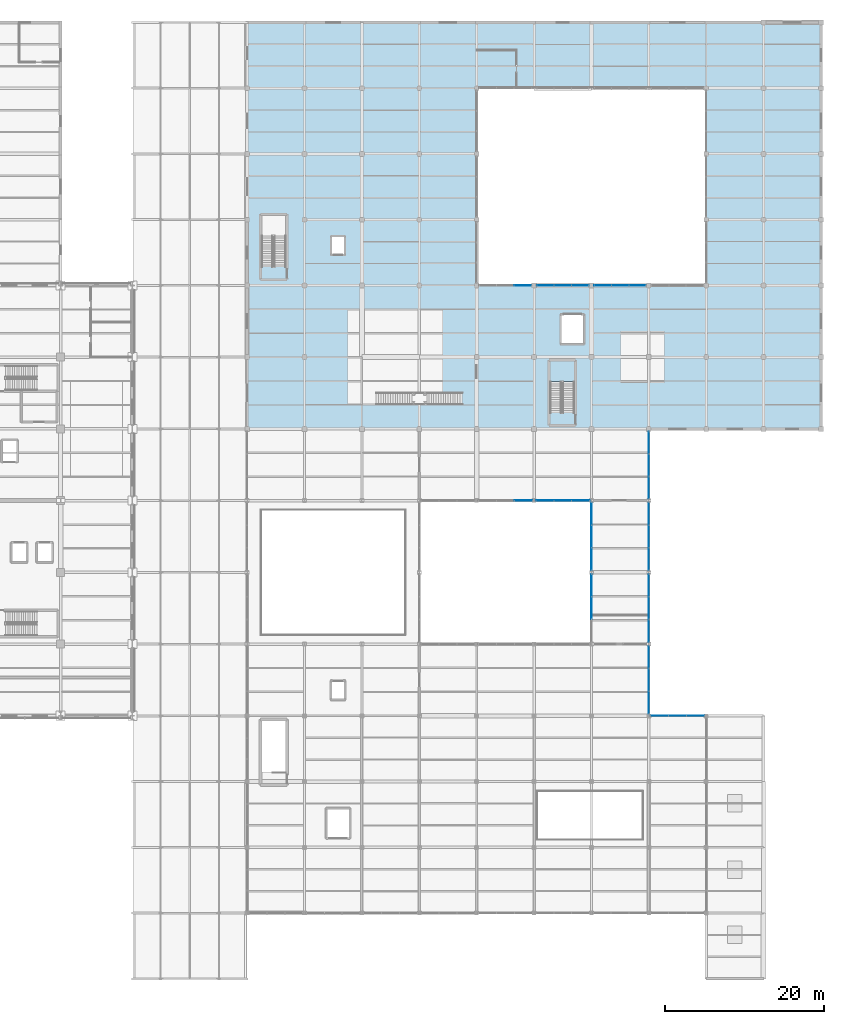
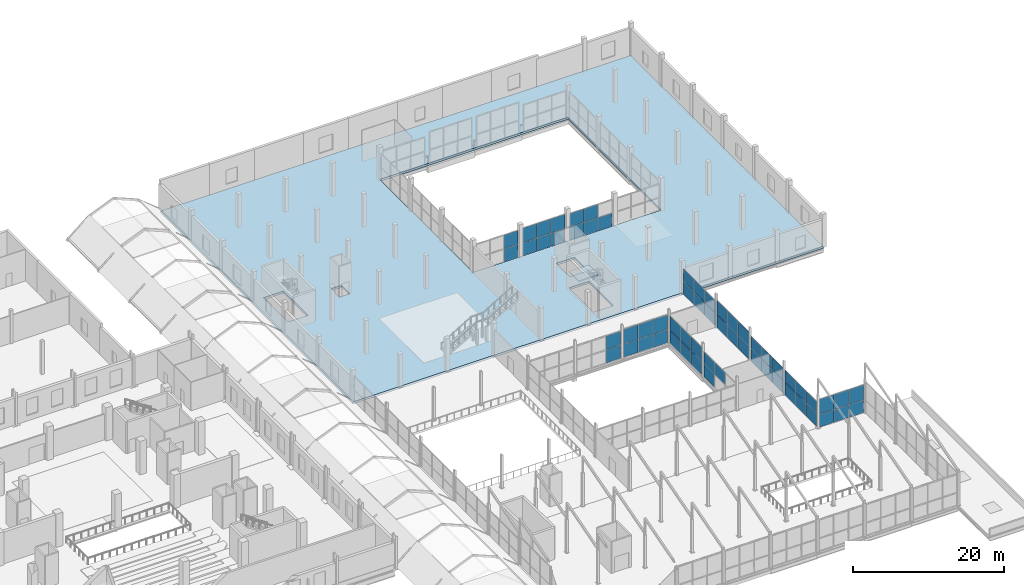
# One storey, part 104 of 141: 60 plates, 2 slabs, 13 elements without a shape of their own.
"""IFC4 building model written with IfcOpenShell, lengths in metres."""

from ifc_helpers import new_model, si_unit, direction, frame, origin, origin_2d, place, context, subcontext, project, spatial, polyline, rectangle, outline, extrude, material, layer, layer_set, type_object, element, aggregate, save


model = new_model("IFC4")

# Units and contexts
model_context = context("Model", 3, precision=1e-05, world=origin(), true_north=direction((0.0, 1.0)))
body_context = subcontext(model_context, "Body", "Model", "MODEL_VIEW")
ifc_project = project(units=[si_unit("LENGTHUNIT", "METRE"), si_unit("AREAUNIT", "SQUARE_METRE"), si_unit("VOLUMEUNIT", "CUBIC_METRE"), si_unit("PLANEANGLEUNIT", "RADIAN"), si_unit("MASSUNIT", "GRAM", prefix="KILO")], contexts=[model_context])

# Site, building, storey
site_placement = place(None, origin())
site = spatial("IfcSite", under=ifc_project, at=site_placement, CompositionType="ELEMENT")
building_placement = place(site_placement, origin())
building = spatial("IfcBuilding", under=site, at=building_placement, Name="Sundgate Opera House", CompositionType="ELEMENT")
storey_placement = place(building_placement, frame((0.0, 0.0, 11.39990234375)))
storey = spatial("IfcBuildingStorey", under=building, at=storey_placement, Name="L02", CompositionType="ELEMENT", Elevation=11.39990234375)

# Curtain wall, plates
ifc_material_1 = material(Name="Anodized aluminium and low-iron glass", Category="aluminium")
ifc_layer_1 = layer(ifc_material_1, 0.159912109375)
ifc_layer_set_1 = layer_set([ifc_layer_1], Name="Anodized aluminium and low-iron glass")
curtain_wall_type_1 = type_object("IfcCurtainWallType", Name="CW-STUDIO-DARK", PredefinedType="NOTDEFINED", material=ifc_layer_set_1)
curtain_wall_1_placement = place(storey_placement, origin())
curtain_wall_1 = element("IfcCurtainWall", 1, at=curtain_wall_1_placement, inside=storey, type_object=curtain_wall_type_1, Name="L02 Curtain Wall CW108", PredefinedType="NOTDEFINED")
ifc_material_2 = material(Name="Low-iron triple acoustic glazing", Category="glass")
ifc_layer_2 = layer(ifc_material_2, 0.035888671875)
ifc_layer_set_2 = layer_set([ifc_layer_2], Name="Low-iron triple acoustic glazing")
plate_type_1 = type_object("IfcPlateType", Name="CWP-CLEAR-36", PredefinedType="CURTAIN_PANEL", material=ifc_layer_set_2)
plate_1_placement = place(storey_placement, frame((129.966552734375, 87.0, 0.02001953125), z_axis=(0.0, 0.0, 1.0), x_axis=(1.0, 0.0, 0.0)))
plate_1 = element("IfcPlate", 2, at=plate_1_placement, type_object=plate_type_1, Name="CW108 Panel 5", PredefinedType="CURTAIN_PANEL", context=body_context, shape_type="SweptSolid", body=[
    extrude(rectangle(XDim=2.126708984375, YDim=0.035888671875, at=origin_2d()), origin(), (0.0, 0.0, 1.0), 2.110107421875),
])
plate_2_placement = place(storey_placement, frame((129.966552734375, 87.0, 2.169921875), z_axis=(0.0, 0.0, 1.0), x_axis=(1.0, 0.0, 0.0)))
plate_2 = element("IfcPlate", 3, at=plate_2_placement, type_object=plate_type_1, Name="CW108 Panel 6", PredefinedType="CURTAIN_PANEL", context=body_context, shape_type="SweptSolid", body=[
    extrude(rectangle(XDim=2.126708984375, YDim=0.035888671875, at=origin_2d()), origin(), (0.0, 0.0, 1.0), 2.195068359375),
])
aggregate(curtain_wall_1, [plate_1, plate_2])

curtain_wall_2_placement = place(storey_placement, origin())
curtain_wall_2 = element("IfcCurtainWall", 4, at=curtain_wall_2_placement, inside=storey, type_object=curtain_wall_type_1, Name="L02 Curtain Wall CW110", PredefinedType="NOTDEFINED")
plate_3_placement = place(storey_placement, frame((132.833251953125, 87.0, 0.02001953125), z_axis=(0.0, 0.0, 1.0), x_axis=(1.0, 0.0, 0.0)))
plate_3 = element("IfcPlate", 5, at=plate_3_placement, type_object=plate_type_1, Name="CW110 Panel 1", PredefinedType="CURTAIN_PANEL", context=body_context, shape_type="SweptSolid", body=[
    extrude(rectangle(XDim=2.126708984375, YDim=0.035888671875, at=origin_2d()), origin(), (0.0, 0.0, 1.0), 2.110107421875),
])
plate_4_placement = place(storey_placement, frame((132.833251953125, 87.0, 2.169921875), z_axis=(0.0, 0.0, 1.0), x_axis=(1.0, 0.0, 0.0)))
plate_4 = element("IfcPlate", 6, at=plate_4_placement, type_object=plate_type_1, Name="CW110 Panel 2", PredefinedType="CURTAIN_PANEL", context=body_context, shape_type="SweptSolid", body=[
    extrude(rectangle(XDim=2.126708984375, YDim=0.035888671875, at=origin_2d()), origin(), (0.0, 0.0, 1.0), 2.304931640625),
])
plate_5_placement = place(storey_placement, frame((135.0, 87.0, 0.02001953125), z_axis=(0.0, 0.0, 1.0), x_axis=(1.0, 0.0, 0.0)))
plate_5 = element("IfcPlate", 7, at=plate_5_placement, type_object=plate_type_1, Name="CW110 Panel 3", PredefinedType="CURTAIN_PANEL", context=body_context, shape_type="SweptSolid", body=[
    extrude(rectangle(XDim=2.126708984375, YDim=0.035888671875, at=origin_2d()), origin(), (0.0, 0.0, 1.0), 2.110107421875),
])
plate_6_placement = place(storey_placement, frame((135.0, 87.0, 2.169921875), z_axis=(0.0, 0.0, 1.0), x_axis=(1.0, 0.0, 0.0)))
plate_6 = element("IfcPlate", 8, at=plate_6_placement, type_object=plate_type_1, Name="CW110 Panel 4", PredefinedType="CURTAIN_PANEL", context=body_context, shape_type="SweptSolid", body=[
    extrude(rectangle(XDim=2.126708984375, YDim=0.035888671875, at=origin_2d()), origin(), (0.0, 0.0, 1.0), 2.304931640625),
])
plate_7_placement = place(storey_placement, frame((137.166748046875, 87.0, 0.02001953125), z_axis=(0.0, 0.0, 1.0), x_axis=(1.0, 0.0, 0.0)))
plate_7 = element("IfcPlate", 9, at=plate_7_placement, type_object=plate_type_1, Name="CW110 Panel 5", PredefinedType="CURTAIN_PANEL", context=body_context, shape_type="SweptSolid", body=[
    extrude(rectangle(XDim=2.126708984375, YDim=0.035888671875, at=origin_2d()), origin(), (0.0, 0.0, 1.0), 2.110107421875),
])
plate_8_placement = place(storey_placement, frame((137.166748046875, 87.0, 2.169921875), z_axis=(0.0, 0.0, 1.0), x_axis=(1.0, 0.0, 0.0)))
plate_8 = element("IfcPlate", 10, at=plate_8_placement, type_object=plate_type_1, Name="CW110 Panel 6", PredefinedType="CURTAIN_PANEL", context=body_context, shape_type="SweptSolid", body=[
    extrude(rectangle(XDim=2.126708984375, YDim=0.035888671875, at=origin_2d()), origin(), (0.0, 0.0, 1.0), 2.304931640625),
])
aggregate(curtain_wall_2, [plate_3, plate_4, plate_5, plate_6, plate_7, plate_8])

curtain_wall_3_placement = place(storey_placement, origin())
curtain_wall_3 = element("IfcCurtainWall", 11, at=curtain_wall_3_placement, inside=storey, type_object=curtain_wall_type_1, Name="L02 Curtain Wall CW112", PredefinedType="NOTDEFINED")
plate_9_placement = place(storey_placement, frame((140.033447265625, 87.0, 0.02001953125), z_axis=(0.0, 0.0, 1.0), x_axis=(1.0, 0.0, 0.0)))
plate_9 = element("IfcPlate", 12, at=plate_9_placement, type_object=plate_type_1, Name="CW112 Panel 1", PredefinedType="CURTAIN_PANEL", context=body_context, shape_type="SweptSolid", body=[
    extrude(rectangle(XDim=2.126708984375, YDim=0.035888671875, at=origin_2d()), origin(), (0.0, 0.0, 1.0), 2.110107421875),
])
plate_10_placement = place(storey_placement, frame((140.033447265625, 87.0, 2.170166015625), z_axis=(0.0, 0.0, 1.0), x_axis=(1.0, 0.0, 0.0)))
plate_10 = element("IfcPlate", 13, at=plate_10_placement, type_object=plate_type_1, Name="CW112 Panel 2", PredefinedType="CURTAIN_PANEL", context=body_context, shape_type="SweptSolid", body=[
    extrude(rectangle(XDim=2.126708984375, YDim=0.035888671875, at=origin_2d()), origin(), (0.0, 0.0, 1.0), 2.14501953125),
])
plate_11_placement = place(storey_placement, frame((142.199951171875, 87.0, 0.02001953125), z_axis=(0.0, 0.0, 1.0), x_axis=(1.0, 0.0, 0.0)))
plate_11 = element("IfcPlate", 14, at=plate_11_placement, type_object=plate_type_1, Name="CW112 Panel 3", PredefinedType="CURTAIN_PANEL", context=body_context, shape_type="SweptSolid", body=[
    extrude(rectangle(XDim=2.126708984375, YDim=0.035888671875, at=origin_2d()), origin(), (0.0, 0.0, 1.0), 2.110107421875),
])
plate_12_placement = place(storey_placement, frame((142.199951171875, 87.0, 2.170166015625), z_axis=(0.0, 0.0, 1.0), x_axis=(1.0, 0.0, 0.0)))
plate_12 = element("IfcPlate", 15, at=plate_12_placement, type_object=plate_type_1, Name="CW112 Panel 4", PredefinedType="CURTAIN_PANEL", context=body_context, shape_type="SweptSolid", body=[
    extrude(rectangle(XDim=2.126708984375, YDim=0.035888671875, at=origin_2d()), origin(), (0.0, 0.0, 1.0), 2.14501953125),
])
plate_13_placement = place(storey_placement, frame((144.36669921875, 87.0, 0.02001953125), z_axis=(0.0, 0.0, 1.0), x_axis=(1.0, 0.0, 0.0)))
plate_13 = element("IfcPlate", 16, at=plate_13_placement, type_object=plate_type_1, Name="CW112 Panel 5", PredefinedType="CURTAIN_PANEL", context=body_context, shape_type="SweptSolid", body=[
    extrude(rectangle(XDim=2.126708984375, YDim=0.035888671875, at=origin_2d()), origin(), (0.0, 0.0, 1.0), 2.110107421875),
])
aggregate(curtain_wall_3, [plate_9, plate_10, plate_11, plate_12, plate_13])

curtain_wall_4_placement = place(storey_placement, origin())
curtain_wall_4 = element("IfcCurtainWall", 17, at=curtain_wall_4_placement, inside=storey, type_object=curtain_wall_type_1, Name="L02 Curtain Wall CW063", PredefinedType="NOTDEFINED")
ifc_material_3 = material(Name="Dark solar-control triple acoustic glazing", Category="glass")
ifc_layer_3 = layer(ifc_material_3, 0.031982421875)
ifc_layer_set_3 = layer_set([ifc_layer_3], Name="Dark solar-control triple acoustic glazing")
plate_type_2 = type_object("IfcPlateType", Name="CWP-DARK-32", PredefinedType="CURTAIN_PANEL", material=ifc_layer_set_3)
plate_14_placement = place(storey_placement, frame((145.800048828125, 34.64990234375, 0.02001953125), z_axis=(0.0, 0.0, 1.0), x_axis=(0.0, 1.0, 0.0)))
plate_14 = element("IfcPlate", 18, at=plate_14_placement, type_object=plate_type_2, Name="CW063 Panel 1", PredefinedType="CURTAIN_PANEL", context=body_context, shape_type="SweptSolid", body=[
    extrude(rectangle(XDim=2.81005859375, YDim=0.031982421875, at=origin_2d()), origin(), (0.0, 0.0, 1.0), 2.110107421875),
])
plate_15_placement = place(storey_placement, frame((145.800048828125, 34.64990234375, 2.170166015625), z_axis=(0.0, 0.0, 1.0), x_axis=(0.0, 1.0, 0.0)))
plate_15 = element("IfcPlate", 19, at=plate_15_placement, type_object=plate_type_2, Name="CW063 Panel 2", PredefinedType="CURTAIN_PANEL", context=body_context, shape_type="SweptSolid", body=[
    extrude(rectangle(XDim=2.81005859375, YDim=0.031982421875, at=origin_2d()), origin(), (0.0, 0.0, 1.0), 1.9150390625),
])
plate_16_placement = place(storey_placement, frame((145.800048828125, 37.5, 0.02001953125), z_axis=(0.0, 0.0, 1.0), x_axis=(0.0, 1.0, 0.0)))
plate_16 = element("IfcPlate", 20, at=plate_16_placement, type_object=plate_type_2, Name="CW063 Panel 3", PredefinedType="CURTAIN_PANEL", context=body_context, shape_type="SweptSolid", body=[
    extrude(rectangle(XDim=2.81005859375, YDim=0.031982421875, at=origin_2d()), origin(), (0.0, 0.0, 1.0), 2.110107421875),
])
plate_17_placement = place(storey_placement, frame((145.800048828125, 37.5, 2.170166015625), z_axis=(0.0, 0.0, 1.0), x_axis=(0.0, 1.0, 0.0)))
plate_17 = element("IfcPlate", 21, at=plate_17_placement, type_object=plate_type_2, Name="CW063 Panel 4", PredefinedType="CURTAIN_PANEL", context=body_context, shape_type="SweptSolid", body=[
    extrude(rectangle(XDim=2.81005859375, YDim=0.031982421875, at=origin_2d()), origin(), (0.0, 0.0, 1.0), 1.9150390625),
])
plate_18_placement = place(storey_placement, frame((145.800048828125, 40.35009765625, 0.02001953125), z_axis=(0.0, 0.0, 1.0), x_axis=(0.0, 1.0, 0.0)))
plate_18 = element("IfcPlate", 22, at=plate_18_placement, type_object=plate_type_2, Name="CW063 Panel 5", PredefinedType="CURTAIN_PANEL", context=body_context, shape_type="SweptSolid", body=[
    extrude(rectangle(XDim=2.81005859375, YDim=0.031982421875, at=origin_2d()), origin(), (0.0, 0.0, 1.0), 2.110107421875),
])
plate_19_placement = place(storey_placement, frame((145.800048828125, 40.35009765625, 2.170166015625), z_axis=(0.0, 0.0, 1.0), x_axis=(0.0, 1.0, 0.0)))
plate_19 = element("IfcPlate", 23, at=plate_19_placement, type_object=plate_type_2, Name="CW063 Panel 6", PredefinedType="CURTAIN_PANEL", context=body_context, shape_type="SweptSolid", body=[
    extrude(rectangle(XDim=2.81005859375, YDim=0.031982421875, at=origin_2d()), origin(), (0.0, 0.0, 1.0), 1.9150390625),
])
aggregate(curtain_wall_4, [plate_14, plate_15, plate_16, plate_17, plate_18, plate_19])

curtain_wall_5_placement = place(storey_placement, origin())
curtain_wall_5 = element("IfcCurtainWall", 24, at=curtain_wall_5_placement, inside=storey, type_object=curtain_wall_type_1, Name="L02 Curtain Wall CW065", PredefinedType="NOTDEFINED")
plate_20_placement = place(storey_placement, frame((145.800048828125, 43.64990234375, 0.02001953125), z_axis=(0.0, 0.0, 1.0), x_axis=(0.0, 1.0, 0.0)))
plate_20 = element("IfcPlate", 25, at=plate_20_placement, type_object=plate_type_2, Name="CW065 Panel 1", PredefinedType="CURTAIN_PANEL", context=body_context, shape_type="SweptSolid", body=[
    extrude(rectangle(XDim=2.81005859375, YDim=0.031982421875, at=origin_2d()), origin(), (0.0, 0.0, 1.0), 2.110107421875),
])
plate_21_placement = place(storey_placement, frame((145.800048828125, 43.64990234375, 2.170166015625), z_axis=(0.0, 0.0, 1.0), x_axis=(0.0, 1.0, 0.0)))
plate_21 = element("IfcPlate", 26, at=plate_21_placement, type_object=plate_type_2, Name="CW065 Panel 2", PredefinedType="CURTAIN_PANEL", context=body_context, shape_type="SweptSolid", body=[
    extrude(rectangle(XDim=2.81005859375, YDim=0.031982421875, at=origin_2d()), origin(), (0.0, 0.0, 1.0), 1.9150390625),
])
plate_22_placement = place(storey_placement, frame((145.800048828125, 46.5, 0.02001953125), z_axis=(0.0, 0.0, 1.0), x_axis=(0.0, 1.0, 0.0)))
plate_22 = element("IfcPlate", 27, at=plate_22_placement, type_object=plate_type_2, Name="CW065 Panel 3", PredefinedType="CURTAIN_PANEL", context=body_context, shape_type="SweptSolid", body=[
    extrude(rectangle(XDim=2.81005859375, YDim=0.031982421875, at=origin_2d()), origin(), (0.0, 0.0, 1.0), 2.110107421875),
])
plate_23_placement = place(storey_placement, frame((145.800048828125, 46.5, 2.170166015625), z_axis=(0.0, 0.0, 1.0), x_axis=(0.0, 1.0, 0.0)))
plate_23 = element("IfcPlate", 28, at=plate_23_placement, type_object=plate_type_2, Name="CW065 Panel 4", PredefinedType="CURTAIN_PANEL", context=body_context, shape_type="SweptSolid", body=[
    extrude(rectangle(XDim=2.81005859375, YDim=0.031982421875, at=origin_2d()), origin(), (0.0, 0.0, 1.0), 1.9150390625),
])
plate_24_placement = place(storey_placement, frame((145.800048828125, 49.35009765625, 0.02001953125), z_axis=(0.0, 0.0, 1.0), x_axis=(0.0, 1.0, 0.0)))
plate_24 = element("IfcPlate", 29, at=plate_24_placement, type_object=plate_type_2, Name="CW065 Panel 5", PredefinedType="CURTAIN_PANEL", context=body_context, shape_type="SweptSolid", body=[
    extrude(rectangle(XDim=2.81005859375, YDim=0.031982421875, at=origin_2d()), origin(), (0.0, 0.0, 1.0), 2.110107421875),
])
plate_25_placement = place(storey_placement, frame((145.800048828125, 49.35009765625, 2.170166015625), z_axis=(0.0, 0.0, 1.0), x_axis=(0.0, 1.0, 0.0)))
plate_25 = element("IfcPlate", 30, at=plate_25_placement, type_object=plate_type_2, Name="CW065 Panel 6", PredefinedType="CURTAIN_PANEL", context=body_context, shape_type="SweptSolid", body=[
    extrude(rectangle(XDim=2.81005859375, YDim=0.031982421875, at=origin_2d()), origin(), (0.0, 0.0, 1.0), 1.9150390625),
])
aggregate(curtain_wall_5, [plate_20, plate_21, plate_22, plate_23, plate_24, plate_25])

curtain_wall_6_placement = place(storey_placement, origin())
curtain_wall_6 = element("IfcCurtainWall", 31, at=curtain_wall_6_placement, inside=storey, type_object=curtain_wall_type_1, Name="L02 Curtain Wall CW067", PredefinedType="NOTDEFINED")
plate_26_placement = place(storey_placement, frame((145.800048828125, 52.64990234375, 0.02001953125), z_axis=(0.0, 0.0, 1.0), x_axis=(0.0, 1.0, 0.0)))
plate_26 = element("IfcPlate", 32, at=plate_26_placement, type_object=plate_type_2, Name="CW067 Panel 1", PredefinedType="CURTAIN_PANEL", context=body_context, shape_type="SweptSolid", body=[
    extrude(rectangle(XDim=2.81005859375, YDim=0.031982421875, at=origin_2d()), origin(), (0.0, 0.0, 1.0), 2.110107421875),
])
plate_27_placement = place(storey_placement, frame((145.800048828125, 52.64990234375, 2.169921875), z_axis=(0.0, 0.0, 1.0), x_axis=(0.0, 1.0, 0.0)))
plate_27 = element("IfcPlate", 33, at=plate_27_placement, type_object=plate_type_2, Name="CW067 Panel 2", PredefinedType="CURTAIN_PANEL", context=body_context, shape_type="SweptSolid", body=[
    extrude(rectangle(XDim=2.81005859375, YDim=0.031982421875, at=origin_2d()), origin(), (0.0, 0.0, 1.0), 2.264892578125),
])
plate_28_placement = place(storey_placement, frame((145.800048828125, 55.5, 0.02001953125), z_axis=(0.0, 0.0, 1.0), x_axis=(0.0, 1.0, 0.0)))
plate_28 = element("IfcPlate", 34, at=plate_28_placement, type_object=plate_type_2, Name="CW067 Panel 3", PredefinedType="CURTAIN_PANEL", context=body_context, shape_type="SweptSolid", body=[
    extrude(rectangle(XDim=2.81005859375, YDim=0.031982421875, at=origin_2d()), origin(), (0.0, 0.0, 1.0), 2.110107421875),
])
plate_29_placement = place(storey_placement, frame((145.800048828125, 55.5, 2.169921875), z_axis=(0.0, 0.0, 1.0), x_axis=(0.0, 1.0, 0.0)))
plate_29 = element("IfcPlate", 35, at=plate_29_placement, type_object=plate_type_2, Name="CW067 Panel 4", PredefinedType="CURTAIN_PANEL", context=body_context, shape_type="SweptSolid", body=[
    extrude(rectangle(XDim=2.81005859375, YDim=0.031982421875, at=origin_2d()), origin(), (0.0, 0.0, 1.0), 2.264892578125),
])
plate_30_placement = place(storey_placement, frame((145.800048828125, 58.35009765625, 0.02001953125), z_axis=(0.0, 0.0, 1.0), x_axis=(0.0, 1.0, 0.0)))
plate_30 = element("IfcPlate", 36, at=plate_30_placement, type_object=plate_type_2, Name="CW067 Panel 5", PredefinedType="CURTAIN_PANEL", context=body_context, shape_type="SweptSolid", body=[
    extrude(rectangle(XDim=2.81005859375, YDim=0.031982421875, at=origin_2d()), origin(), (0.0, 0.0, 1.0), 2.110107421875),
])
plate_31_placement = place(storey_placement, frame((145.800048828125, 58.35009765625, 2.169921875), z_axis=(0.0, 0.0, 1.0), x_axis=(0.0, 1.0, 0.0)))
plate_31 = element("IfcPlate", 37, at=plate_31_placement, type_object=plate_type_2, Name="CW067 Panel 6", PredefinedType="CURTAIN_PANEL", context=body_context, shape_type="SweptSolid", body=[
    extrude(rectangle(XDim=2.81005859375, YDim=0.031982421875, at=origin_2d()), origin(), (0.0, 0.0, 1.0), 2.264892578125),
])
aggregate(curtain_wall_6, [plate_26, plate_27, plate_28, plate_29, plate_30, plate_31])

curtain_wall_7_placement = place(storey_placement, origin())
curtain_wall_7 = element("IfcCurtainWall", 38, at=curtain_wall_7_placement, inside=storey, type_object=curtain_wall_type_1, Name="L02 Curtain Wall CW069", PredefinedType="NOTDEFINED")
plate_32_placement = place(storey_placement, frame((145.800048828125, 61.629150390625, 0.02001953125), z_axis=(0.0, 0.0, 1.0), x_axis=(0.0, 1.0, 0.0)))
plate_32 = element("IfcPlate", 39, at=plate_32_placement, type_object=plate_type_2, Name="CW069 Panel 1", PredefinedType="CURTAIN_PANEL", context=body_context, shape_type="SweptSolid", body=[
    extrude(rectangle(XDim=2.768310546875, YDim=0.031982421875, at=origin_2d()), origin(), (0.0, 0.0, 1.0), 2.110107421875),
])
plate_33_placement = place(storey_placement, frame((145.800048828125, 61.629150390625, 2.169921875), z_axis=(0.0, 0.0, 1.0), x_axis=(0.0, 1.0, 0.0)))
plate_33 = element("IfcPlate", 40, at=plate_33_placement, type_object=plate_type_2, Name="CW069 Panel 2", PredefinedType="CURTAIN_PANEL", context=body_context, shape_type="SweptSolid", body=[
    extrude(rectangle(XDim=2.768310546875, YDim=0.031982421875, at=origin_2d()), origin(), (0.0, 0.0, 1.0), 1.945068359375),
])
plate_34_placement = place(storey_placement, frame((145.800048828125, 64.4375, 0.02001953125), z_axis=(0.0, 0.0, 1.0), x_axis=(0.0, 1.0, 0.0)))
plate_34 = element("IfcPlate", 41, at=plate_34_placement, type_object=plate_type_2, Name="CW069 Panel 3", PredefinedType="CURTAIN_PANEL", context=body_context, shape_type="SweptSolid", body=[
    extrude(rectangle(XDim=2.768310546875, YDim=0.031982421875, at=origin_2d()), origin(), (0.0, 0.0, 1.0), 2.110107421875),
])
plate_35_placement = place(storey_placement, frame((145.800048828125, 64.4375, 2.169921875), z_axis=(0.0, 0.0, 1.0), x_axis=(0.0, 1.0, 0.0)))
plate_35 = element("IfcPlate", 42, at=plate_35_placement, type_object=plate_type_2, Name="CW069 Panel 4", PredefinedType="CURTAIN_PANEL", context=body_context, shape_type="SweptSolid", body=[
    extrude(rectangle(XDim=2.768310546875, YDim=0.031982421875, at=origin_2d()), origin(), (0.0, 0.0, 1.0), 1.945068359375),
])
plate_36_placement = place(storey_placement, frame((145.800048828125, 67.245849609375, 0.02001953125), z_axis=(0.0, 0.0, 1.0), x_axis=(0.0, 1.0, 0.0)))
plate_36 = element("IfcPlate", 43, at=plate_36_placement, type_object=plate_type_2, Name="CW069 Panel 5", PredefinedType="CURTAIN_PANEL", context=body_context, shape_type="SweptSolid", body=[
    extrude(rectangle(XDim=2.768310546875, YDim=0.031982421875, at=origin_2d()), origin(), (0.0, 0.0, 1.0), 2.110107421875),
])
plate_37_placement = place(storey_placement, frame((145.800048828125, 67.245849609375, 2.169921875), z_axis=(0.0, 0.0, 1.0), x_axis=(0.0, 1.0, 0.0)))
plate_37 = element("IfcPlate", 44, at=plate_37_placement, type_object=plate_type_2, Name="CW069 Panel 6", PredefinedType="CURTAIN_PANEL", context=body_context, shape_type="SweptSolid", body=[
    extrude(rectangle(XDim=2.768310546875, YDim=0.031982421875, at=origin_2d()), origin(), (0.0, 0.0, 1.0), 1.945068359375),
])
aggregate(curtain_wall_7, [plate_32, plate_33, plate_34, plate_35, plate_36, plate_37])

curtain_wall_8_placement = place(storey_placement, origin())
curtain_wall_8 = element("IfcCurtainWall", 45, at=curtain_wall_8_placement, inside=storey, type_object=curtain_wall_type_1, Name="L02 Curtain Wall CW073", PredefinedType="NOTDEFINED")
plate_38_placement = place(storey_placement, frame((130.050048828125, 60.0, 0.02001953125), z_axis=(0.0, 0.0, 1.0), x_axis=(-1.0, 0.0, 0.0)))
plate_38 = element("IfcPlate", 46, at=plate_38_placement, type_object=plate_type_2, Name="CW073 Panel 1", PredefinedType="CURTAIN_PANEL", context=body_context, shape_type="SweptSolid", body=[
    extrude(rectangle(XDim=2.2099609375, YDim=0.031982421875, at=origin_2d()), origin(), (0.0, 0.0, 1.0), 2.110107421875),
])
plate_39_placement = place(storey_placement, frame((130.050048828125, 60.0, 2.169921875), z_axis=(0.0, 0.0, 1.0), x_axis=(-1.0, 0.0, 0.0)))
plate_39 = element("IfcPlate", 47, at=plate_39_placement, type_object=plate_type_2, Name="CW073 Panel 2", PredefinedType="CURTAIN_PANEL", context=body_context, shape_type="SweptSolid", body=[
    extrude(rectangle(XDim=2.2099609375, YDim=0.031982421875, at=origin_2d()), origin(), (0.0, 0.0, 1.0), 2.215087890625),
])
aggregate(curtain_wall_8, [plate_38, plate_39])

curtain_wall_9_placement = place(storey_placement, origin())
curtain_wall_9 = element("IfcCurtainWall", 48, at=curtain_wall_9_placement, inside=storey, type_object=curtain_wall_type_1, Name="L02 Curtain Wall CW075", PredefinedType="NOTDEFINED")
plate_40_placement = place(storey_placement, frame((137.25, 60.0, 0.02001953125), z_axis=(0.0, 0.0, 1.0), x_axis=(-1.0, 0.0, 0.0)))
plate_40 = element("IfcPlate", 49, at=plate_40_placement, type_object=plate_type_2, Name="CW075 Panel 1", PredefinedType="CURTAIN_PANEL", context=body_context, shape_type="SweptSolid", body=[
    extrude(rectangle(XDim=2.2099609375, YDim=0.031982421875, at=origin_2d()), origin(), (0.0, 0.0, 1.0), 2.110107421875),
])
plate_41_placement = place(storey_placement, frame((137.25, 60.0, 2.169921875), z_axis=(0.0, 0.0, 1.0), x_axis=(-1.0, 0.0, 0.0)))
plate_41 = element("IfcPlate", 50, at=plate_41_placement, type_object=plate_type_2, Name="CW075 Panel 2", PredefinedType="CURTAIN_PANEL", context=body_context, shape_type="SweptSolid", body=[
    extrude(rectangle(XDim=2.2099609375, YDim=0.031982421875, at=origin_2d()), origin(), (0.0, 0.0, 1.0), 2.364990234375),
])
plate_42_placement = place(storey_placement, frame((135.0, 60.0, 0.02001953125), z_axis=(0.0, 0.0, 1.0), x_axis=(-1.0, 0.0, 0.0)))
plate_42 = element("IfcPlate", 51, at=plate_42_placement, type_object=plate_type_2, Name="CW075 Panel 3", PredefinedType="CURTAIN_PANEL", context=body_context, shape_type="SweptSolid", body=[
    extrude(rectangle(XDim=2.2099609375, YDim=0.031982421875, at=origin_2d()), origin(), (0.0, 0.0, 1.0), 2.110107421875),
])
plate_43_placement = place(storey_placement, frame((135.0, 60.0, 2.169921875), z_axis=(0.0, 0.0, 1.0), x_axis=(-1.0, 0.0, 0.0)))
plate_43 = element("IfcPlate", 52, at=plate_43_placement, type_object=plate_type_2, Name="CW075 Panel 4", PredefinedType="CURTAIN_PANEL", context=body_context, shape_type="SweptSolid", body=[
    extrude(rectangle(XDim=2.2099609375, YDim=0.031982421875, at=origin_2d()), origin(), (0.0, 0.0, 1.0), 2.364990234375),
])
plate_44_placement = place(storey_placement, frame((132.75, 60.0, 0.02001953125), z_axis=(0.0, 0.0, 1.0), x_axis=(-1.0, 0.0, 0.0)))
plate_44 = element("IfcPlate", 53, at=plate_44_placement, type_object=plate_type_2, Name="CW075 Panel 5", PredefinedType="CURTAIN_PANEL", context=body_context, shape_type="SweptSolid", body=[
    extrude(rectangle(XDim=2.2099609375, YDim=0.031982421875, at=origin_2d()), origin(), (0.0, 0.0, 1.0), 2.110107421875),
])
plate_45_placement = place(storey_placement, frame((132.75, 60.0, 2.169921875), z_axis=(0.0, 0.0, 1.0), x_axis=(-1.0, 0.0, 0.0)))
plate_45 = element("IfcPlate", 54, at=plate_45_placement, type_object=plate_type_2, Name="CW075 Panel 6", PredefinedType="CURTAIN_PANEL", context=body_context, shape_type="SweptSolid", body=[
    extrude(rectangle(XDim=2.2099609375, YDim=0.031982421875, at=origin_2d()), origin(), (0.0, 0.0, 1.0), 2.364990234375),
])
aggregate(curtain_wall_9, [plate_40, plate_41, plate_42, plate_43, plate_44, plate_45])

curtain_wall_10_placement = place(storey_placement, origin())
curtain_wall_10 = element("IfcCurtainWall", 55, at=curtain_wall_10_placement, inside=storey, type_object=curtain_wall_type_1, Name="L02 Curtain Wall CW077", PredefinedType="NOTDEFINED")
plate_46_placement = place(storey_placement, frame((138.60009765625, 49.35009765625, 0.02001953125), z_axis=(0.0, 0.0, 1.0), x_axis=(0.0, -1.0, 0.0)))
plate_46 = element("IfcPlate", 56, at=plate_46_placement, type_object=plate_type_2, Name="CW077 Panel 1", PredefinedType="CURTAIN_PANEL", context=body_context, shape_type="SweptSolid", body=[
    extrude(rectangle(XDim=2.81005859375, YDim=0.031982421875, at=origin_2d()), origin(), (0.0, 0.0, 1.0), 2.110107421875),
])
plate_47_placement = place(storey_placement, frame((138.60009765625, 49.35009765625, 2.170166015625), z_axis=(0.0, 0.0, 1.0), x_axis=(0.0, -1.0, 0.0)))
plate_47 = element("IfcPlate", 57, at=plate_47_placement, type_object=plate_type_2, Name="CW077 Panel 2", PredefinedType="CURTAIN_PANEL", context=body_context, shape_type="SweptSolid", body=[
    extrude(rectangle(XDim=2.81005859375, YDim=0.031982421875, at=origin_2d()), origin(), (0.0, 0.0, 1.0), 1.9150390625),
])
plate_48_placement = place(storey_placement, frame((138.60009765625, 46.5, 2.170166015625), z_axis=(0.0, 0.0, 1.0), x_axis=(0.0, -1.0, 0.0)))
plate_48 = element("IfcPlate", 58, at=plate_48_placement, type_object=plate_type_2, Name="CW077 Panel 4", PredefinedType="CURTAIN_PANEL", context=body_context, shape_type="SweptSolid", body=[
    extrude(rectangle(XDim=2.81005859375, YDim=0.031982421875, at=origin_2d()), origin(), (0.0, 0.0, 1.0), 1.9150390625),
])
aggregate(curtain_wall_10, [plate_46, plate_47, plate_48])

curtain_wall_11_placement = place(storey_placement, origin())
curtain_wall_11 = element("IfcCurtainWall", 59, at=curtain_wall_11_placement, inside=storey, type_object=curtain_wall_type_1, Name="L02 Curtain Wall CW079", PredefinedType="NOTDEFINED")
plate_49_placement = place(storey_placement, frame((138.60009765625, 58.35009765625, 0.02001953125), z_axis=(0.0, 0.0, 1.0), x_axis=(0.0, -1.0, 0.0)))
plate_49 = element("IfcPlate", 60, at=plate_49_placement, type_object=plate_type_2, Name="CW079 Panel 1", PredefinedType="CURTAIN_PANEL", context=body_context, shape_type="SweptSolid", body=[
    extrude(rectangle(XDim=2.81005859375, YDim=0.031982421875, at=origin_2d()), origin(), (0.0, 0.0, 1.0), 2.110107421875),
])
plate_50_placement = place(storey_placement, frame((138.60009765625, 58.35009765625, 2.169921875), z_axis=(0.0, 0.0, 1.0), x_axis=(0.0, -1.0, 0.0)))
plate_50 = element("IfcPlate", 61, at=plate_50_placement, type_object=plate_type_2, Name="CW079 Panel 2", PredefinedType="CURTAIN_PANEL", context=body_context, shape_type="SweptSolid", body=[
    extrude(rectangle(XDim=2.81005859375, YDim=0.031982421875, at=origin_2d()), origin(), (0.0, 0.0, 1.0), 2.264892578125),
])
plate_51_placement = place(storey_placement, frame((138.60009765625, 55.5, 0.02001953125), z_axis=(0.0, 0.0, 1.0), x_axis=(0.0, -1.0, 0.0)))
plate_51 = element("IfcPlate", 62, at=plate_51_placement, type_object=plate_type_2, Name="CW079 Panel 3", PredefinedType="CURTAIN_PANEL", context=body_context, shape_type="SweptSolid", body=[
    extrude(rectangle(XDim=2.81005859375, YDim=0.031982421875, at=origin_2d()), origin(), (0.0, 0.0, 1.0), 2.110107421875),
])
plate_52_placement = place(storey_placement, frame((138.60009765625, 55.5, 2.169921875), z_axis=(0.0, 0.0, 1.0), x_axis=(0.0, -1.0, 0.0)))
plate_52 = element("IfcPlate", 63, at=plate_52_placement, type_object=plate_type_2, Name="CW079 Panel 4", PredefinedType="CURTAIN_PANEL", context=body_context, shape_type="SweptSolid", body=[
    extrude(rectangle(XDim=2.81005859375, YDim=0.031982421875, at=origin_2d()), origin(), (0.0, 0.0, 1.0), 2.264892578125),
])
plate_53_placement = place(storey_placement, frame((138.60009765625, 52.64990234375, 0.02001953125), z_axis=(0.0, 0.0, 1.0), x_axis=(0.0, -1.0, 0.0)))
plate_53 = element("IfcPlate", 64, at=plate_53_placement, type_object=plate_type_2, Name="CW079 Panel 5", PredefinedType="CURTAIN_PANEL", context=body_context, shape_type="SweptSolid", body=[
    extrude(rectangle(XDim=2.81005859375, YDim=0.031982421875, at=origin_2d()), origin(), (0.0, 0.0, 1.0), 2.110107421875),
])
plate_54_placement = place(storey_placement, frame((138.60009765625, 52.64990234375, 2.169921875), z_axis=(0.0, 0.0, 1.0), x_axis=(0.0, -1.0, 0.0)))
plate_54 = element("IfcPlate", 65, at=plate_54_placement, type_object=plate_type_2, Name="CW079 Panel 6", PredefinedType="CURTAIN_PANEL", context=body_context, shape_type="SweptSolid", body=[
    extrude(rectangle(XDim=2.81005859375, YDim=0.031982421875, at=origin_2d()), origin(), (0.0, 0.0, 1.0), 2.264892578125),
])
aggregate(curtain_wall_11, [plate_49, plate_50, plate_51, plate_52, plate_53, plate_54])

ifc_material_4 = material(Name="Anodized aluminium and low-iron glass", Category="aluminium")
ifc_layer_4 = layer(ifc_material_4, 0.14990234375)
ifc_layer_set_4 = layer_set([ifc_layer_4], Name="Anodized aluminium and low-iron glass")
curtain_wall_type_2 = type_object("IfcCurtainWallType", Name="CW-WORKSHOP-DARK", PredefinedType="NOTDEFINED", material=ifc_layer_set_4)
curtain_wall_12_placement = place(storey_placement, origin())
curtain_wall_12 = element("IfcCurtainWall", 66, at=curtain_wall_12_placement, inside=storey, type_object=curtain_wall_type_2, Name="L02 Curtain Wall CW168", PredefinedType="NOTDEFINED")
plate_55_placement = place(storey_placement, frame((147.14990234375, 33.0, 0.02001953125), z_axis=(0.0, 0.0, 1.0), x_axis=(1.0, 0.0, 0.0)))
plate_55 = element("IfcPlate", 67, at=plate_55_placement, type_object=plate_type_2, Name="CW168 Panel 1", PredefinedType="CURTAIN_PANEL", context=body_context, shape_type="SweptSolid", body=[
    extrude(rectangle(XDim=2.2099609375, YDim=0.031982421875, at=origin_2d()), origin(), (0.0, 0.0, 1.0), 2.06005859375),
])
plate_56_placement = place(storey_placement, frame((147.14990234375, 33.0, 2.1201171875), z_axis=(0.0, 0.0, 1.0), x_axis=(1.0, 0.0, 0.0)))
plate_56 = element("IfcPlate", 68, at=plate_56_placement, type_object=plate_type_2, Name="CW168 Panel 2", PredefinedType="CURTAIN_PANEL", context=body_context, shape_type="SweptSolid", body=[
    extrude(rectangle(XDim=2.2099609375, YDim=0.031982421875, at=origin_2d()), origin(), (0.0, 0.0, 1.0), 2.4150390625),
])
plate_57_placement = place(storey_placement, frame((149.39990234375, 33.0, 0.02001953125), z_axis=(0.0, 0.0, 1.0), x_axis=(1.0, 0.0, 0.0)))
plate_57 = element("IfcPlate", 69, at=plate_57_placement, type_object=plate_type_2, Name="CW168 Panel 3", PredefinedType="CURTAIN_PANEL", context=body_context, shape_type="SweptSolid", body=[
    extrude(rectangle(XDim=2.2099609375, YDim=0.031982421875, at=origin_2d()), origin(), (0.0, 0.0, 1.0), 2.06005859375),
])
plate_58_placement = place(storey_placement, frame((149.39990234375, 33.0, 2.1201171875), z_axis=(0.0, 0.0, 1.0), x_axis=(1.0, 0.0, 0.0)))
plate_58 = element("IfcPlate", 70, at=plate_58_placement, type_object=plate_type_2, Name="CW168 Panel 4", PredefinedType="CURTAIN_PANEL", context=body_context, shape_type="SweptSolid", body=[
    extrude(rectangle(XDim=2.2099609375, YDim=0.031982421875, at=origin_2d()), origin(), (0.0, 0.0, 1.0), 2.4150390625),
])
plate_59_placement = place(storey_placement, frame((151.64990234375, 33.0, 0.02001953125), z_axis=(0.0, 0.0, 1.0), x_axis=(1.0, 0.0, 0.0)))
plate_59 = element("IfcPlate", 71, at=plate_59_placement, type_object=plate_type_2, Name="CW168 Panel 5", PredefinedType="CURTAIN_PANEL", context=body_context, shape_type="SweptSolid", body=[
    extrude(rectangle(XDim=2.2099609375, YDim=0.031982421875, at=origin_2d()), origin(), (0.0, 0.0, 1.0), 2.06005859375),
])
plate_60_placement = place(storey_placement, frame((151.64990234375, 33.0, 2.1201171875), z_axis=(0.0, 0.0, 1.0), x_axis=(1.0, 0.0, 0.0)))
plate_60 = element("IfcPlate", 72, at=plate_60_placement, type_object=plate_type_2, Name="CW168 Panel 6", PredefinedType="CURTAIN_PANEL", context=body_context, shape_type="SweptSolid", body=[
    extrude(rectangle(XDim=2.2099609375, YDim=0.031982421875, at=origin_2d()), origin(), (0.0, 0.0, 1.0), 2.4150390625),
])
aggregate(curtain_wall_12, [plate_55, plate_56, plate_57, plate_58, plate_59, plate_60])

# Slab
ifc_material_5 = material(Name="Concrete C40/50", Category="concrete")
ifc_layer_5 = layer(ifc_material_5, 0.35009765625)
ifc_layer_set_5 = layer_set([ifc_layer_5], Name="Concrete C40/50")
slab_type_1 = type_object("IfcSlabType", Name="SL-FLR-350", PredefinedType="FLOOR", material=ifc_layer_set_5)
slab_1_placement = place(storey_placement, frame((0.0, 0.0, -0.349853515625)))
element("IfcSlab", 73, at=slab_1_placement, inside=storey, type_object=slab_type_1, Name="L02 Structural Floor Slab V4", PredefinedType="FLOOR", context=body_context, shape_type="SweptSolid", body=[
    extrude(outline(polyline([(95.39990234375, 69.0), (167.39990234375, 69.0), (167.39990234375, 120.0), (95.39990234375, 120.0), (95.39990234375, 69.0)]), holes=[polyline([(124.199951171875, 111.75), (153.0, 111.75), (153.0, 87.0), (124.199951171875, 87.0), (124.199951171875, 111.75)]), polyline([(97.199951171875, 95.800048828125), (100.25, 95.800048828125), (100.25, 89.35009765625), (97.199951171875, 89.35009765625), (97.199951171875, 95.800048828125)]), polyline([(133.39990234375, 77.5), (136.449951171875, 77.5), (136.449951171875, 71.050048828125), (133.39990234375, 71.050048828125), (133.39990234375, 77.5)]), polyline([(106.02001953125, 93.080078125), (107.580078125, 93.080078125), (107.580078125, 90.919921875), (106.02001953125, 90.919921875), (106.02001953125, 93.080078125)]), polyline([(134.820068359375, 83.280029296875), (137.580078125, 83.280029296875), (137.580078125, 79.719970703125), (134.820068359375, 79.719970703125), (134.820068359375, 83.280029296875)])]), origin(), (0.0, 0.0, 1.0), 0.349853515625),
])

# Stair, slab
ifc_material_6 = material(Name="Concrete C35/45", Category="concrete")
stair_type = type_object("IfcStairType", Name="ST-HT-30R-1450", PredefinedType="HALF_TURN_STAIR", material=ifc_material_6)
stair_placement = place(storey_placement, origin())
stair = element("IfcStair", 74, at=stair_placement, inside=storey, type_object=stair_type, Name="L02 Escape Stair ST-06", PredefinedType="HALF_TURN_STAIR")
ifc_material_7 = material(Name="Concrete C35/45", Category="concrete")
ifc_layer_6 = layer(ifc_material_7, 0.199951171875)
ifc_layer_set_6 = layer_set([ifc_layer_6], Name="Concrete C35/45")
slab_type_2 = type_object("IfcSlabType", Name="SL-LAND-200", PredefinedType="LANDING", material=ifc_layer_set_6)
slab_2_placement = place(storey_placement, frame((0.0, 0.0, 2.5)))
slab_2 = element("IfcSlab", 75, at=slab_2_placement, type_object=slab_type_2, Name="ST06L02 Landing 1", PredefinedType="LANDING", context=body_context, shape_type="SweptSolid", body=[
    extrude(outline(polyline([(136.449951171875, 74.919921875), (136.449951171875, 77.5), (133.39990234375, 77.5), (133.39990234375, 74.919921875), (136.449951171875, 74.919921875)])), origin(), (0.0, 0.0, 1.0), 0.2001953125),
])
aggregate(stair, [slab_2])

save(model, "model.ifc")
